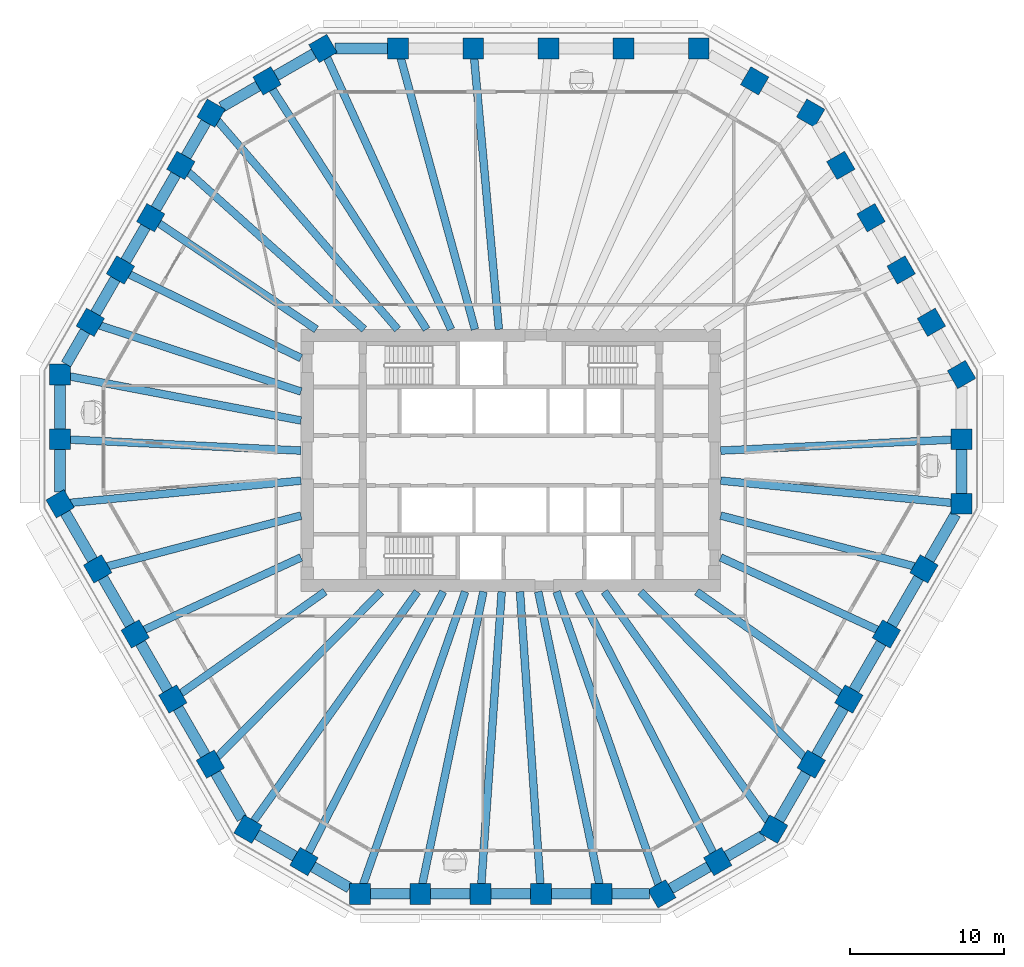
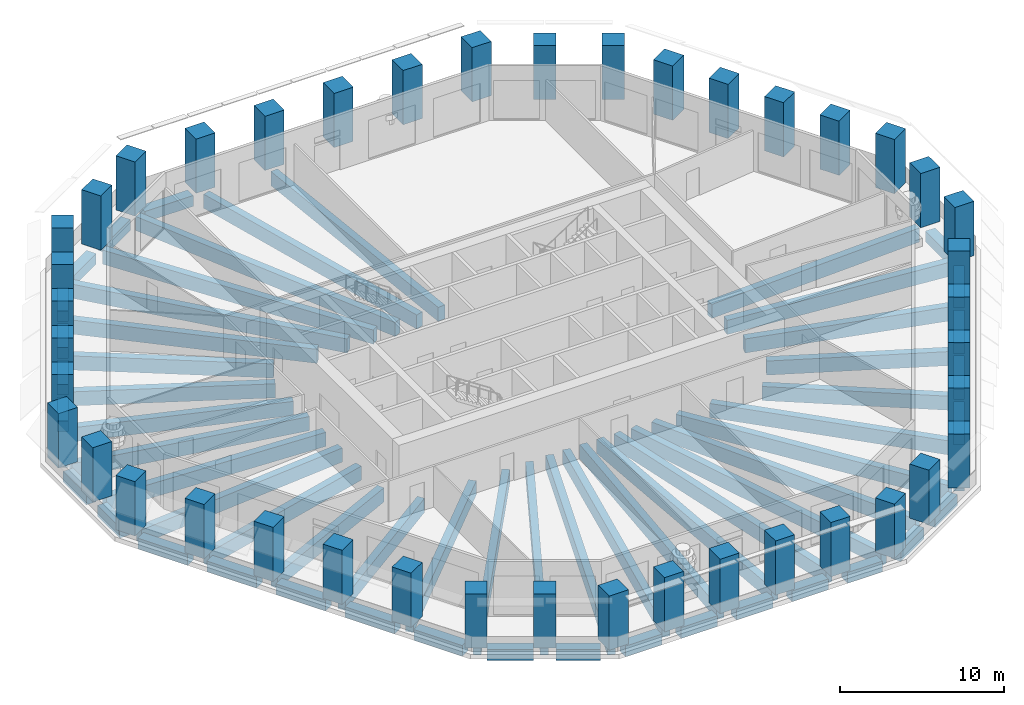
# One storey, part 1 of 12: 62 beams, 42 columns.
"""IFC4 building model written with IfcOpenShell, lengths in metres."""

from ifc_helpers import new_model, si_unit, direction, frame, origin, origin_2d, place, context, subcontext, project, spatial, rectangle, extrude, material, material_profile, profile_set, type_object, element, save


model = new_model("IFC4")

# Units and contexts
model_context = context("Model", 3, precision=1e-05, world=origin(), true_north=direction((0.0, 1.0)))
body_context = subcontext(model_context, "Body", "Model", "MODEL_VIEW")
ifc_project = project(units=[si_unit("LENGTHUNIT", "METRE"), si_unit("AREAUNIT", "SQUARE_METRE"), si_unit("VOLUMEUNIT", "CUBIC_METRE"), si_unit("PLANEANGLEUNIT", "RADIAN"), si_unit("MASSUNIT", "GRAM", prefix="KILO")], contexts=[model_context])

# Site, building, storey
site_placement = place(None, origin())
site = spatial("IfcSite", under=ifc_project, at=site_placement, CompositionType="ELEMENT")
building_placement = place(site_placement, origin())
building = spatial("IfcBuilding", under=site, at=building_placement, Name="Frailejon Research Tower", CompositionType="ELEMENT")
storey_placement = place(building_placement, frame((0.0, 0.0, 126.39990234375)))
storey = spatial("IfcBuildingStorey", under=building, at=storey_placement, Name="L27", CompositionType="ELEMENT", Elevation=126.39990234375)

# Columns
ifc_material_1 = material(Name="Concrete C70/85", Category="concrete")
ifc_material_profile_1 = material_profile(ifc_material_1, rectangle(XDim=1.35009765625, YDim=1.35009765625, at=origin_2d()), Name="Column 1350")
ifc_profile_set_1 = profile_set([ifc_material_profile_1], Name="Concrete C70/85")
column_type = type_object("IfcColumnType", Name="Column 1350", PredefinedType="COLUMN", material=ifc_profile_set_1)
for number, where, z_axis, x_axis, name in (
    (1, (29.211181640625, -2.8046875, 0.0), (0.0, 0.0, 1.0), (0.0, 1.0, 0.0), "Column C01"),
    (2, (29.211181640625, 1.3828125, 0.0), (0.0, 0.0, 1.0), (0.0, 1.0, 0.0), "Column C02"),
    (3, (29.211181640625, 5.5703125, 0.0), (0.0, 0.0, 1.0), (-0.5, 0.866025403784, 0.0), "Column C03"),
    (4, (27.2548828125, 8.958740234375, 0.0), (0.0, 0.0, 1.0), (-0.5, 0.866025403784, 0.0), "Column C04"),
    (5, (25.298583984375, 12.34716796875, 0.0), (0.0, 0.0, 1.0), (-0.5, 0.866025403784, 0.0), "Column C05"),
    (6, (23.34228515625, 15.735595703125, 0.0), (0.0, 0.0, 1.0), (-0.5, 0.866025403784, 0.0), "Column C06"),
    (7, (21.385986328125, 19.1240234375, 0.0), (0.0, 0.0, 1.0), (-0.5, 0.866025403784, 0.0), "Column C07"),
    (8, (19.4296875, 22.512451171875, 0.0), (0.0, 0.0, 1.0), (-0.866025403784, 0.5, 0.0), "Column C08"),
    (9, (15.802978515625, 24.606201171875, 0.0), (0.0, 0.0, 1.0), (-0.866025403784, 0.5, 0.0), "Column C09"),
    (10, (12.176513671875, 26.699951171875, 0.0), (0.0, 0.0, 1.0), (-1.0, 0.0, 0.0), "Column C10"),
    (11, (7.305908203125, 26.699951171875, 0.0), (0.0, 0.0, 1.0), (-1.0, 0.0, 0.0), "Column C11"),
    (12, (2.435302734375, 26.699951171875, 0.0), (0.0, 0.0, 1.0), (-1.0, 0.0, 0.0), "Column C12"),
    (13, (-2.435302734375, 26.699951171875, 0.0), (0.0, 0.0, 1.0), (-1.0, 0.0, 0.0), "Column C13"),
    (14, (-7.305908203125, 26.699951171875, 0.0), (0.0, 0.0, 1.0), (-1.0, 0.0, 0.0), "Column C14"),
    (15, (-12.176513671875, 26.699951171875, 0.0), (0.0, 0.0, 1.0), (-0.866025403784, -0.5, 0.0), "Column C15"),
    (16, (-15.802978515625, 24.606201171875, 0.0), (0.0, 0.0, 1.0), (-0.866025403784, -0.5, 0.0), "Column C16"),
    (17, (-19.4296875, 22.512451171875, 0.0), (0.0, 0.0, 1.0), (-0.5, -0.866025403784, 0.0), "Column C17"),
    (18, (-21.385986328125, 19.1240234375, 0.0), (0.0, 0.0, 1.0), (-0.5, -0.866025403784, 0.0), "Column C18"),
    (19, (-23.34228515625, 15.735595703125, 0.0), (0.0, 0.0, 1.0), (-0.5, -0.866025403784, 0.0), "Column C19"),
    (20, (-25.298583984375, 12.34716796875, 0.0), (0.0, 0.0, 1.0), (-0.5, -0.866025403784, 0.0), "Column C20"),
    (21, (-27.2548828125, 8.958740234375, 0.0), (0.0, 0.0, 1.0), (-0.5, -0.866025403784, 0.0), "Column C21"),
    (22, (-29.211181640625, 5.5703125, 0.0), (0.0, 0.0, 1.0), (0.0, -1.0, 0.0), "Column C22"),
    (23, (-29.211181640625, 1.3828125, 0.0), (0.0, 0.0, 1.0), (0.0, -1.0, 0.0), "Column C23"),
    (24, (-29.211181640625, -2.8046875, 0.0), (0.0, 0.0, 1.0), (0.5, -0.866025403784, 0.0), "Column C24"),
    (25, (-26.77587890625, -7.02294921875, 0.0), (0.0, 0.0, 1.0), (0.5, -0.866025403784, 0.0), "Column C25"),
    (26, (-24.340576171875, -11.240966796875, 0.0), (0.0, 0.0, 1.0), (0.5, -0.866025403784, 0.0), "Column C26"),
    (27, (-21.9052734375, -15.458984375, 0.0), (0.0, 0.0, 1.0), (0.5, -0.866025403784, 0.0), "Column C27"),
    (28, (-19.469970703125, -19.677001953125, 0.0), (0.0, 0.0, 1.0), (0.5, -0.866025403784, 0.0), "Column C28"),
    (29, (-17.03466796875, -23.895263671875, 0.0), (0.0, 0.0, 1.0), (0.866025403784, -0.5, 0.0), "Column C29"),
    (30, (-13.408203125, -25.989013671875, 0.0), (0.0, 0.0, 1.0), (0.866025403784, -0.5, 0.0), "Column C30"),
    (31, (-9.781494140625, -28.082763671875, 0.0), (0.0, 0.0, 1.0), (1.0, 0.0, 0.0), "Column C31"),
    (32, (-5.868896484375, -28.082763671875, 0.0), (0.0, 0.0, 1.0), (1.0, 0.0, 0.0), "Column C32"),
    (33, (-1.956298828125, -28.082763671875, 0.0), (0.0, 0.0, 1.0), (1.0, 0.0, 0.0), "Column C33"),
    (34, (1.956298828125, -28.082763671875, 0.0), (0.0, 0.0, 1.0), (1.0, 0.0, 0.0), "Column C34"),
    (35, (5.868896484375, -28.082763671875, 0.0), (0.0, 0.0, 1.0), (1.0, 0.0, 0.0), "Column C35"),
    (36, (9.781494140625, -28.082763671875, 0.0), (0.0, 0.0, 1.0), (0.866025403784, 0.5, 0.0), "Column C36"),
    (37, (13.408203125, -25.989013671875, 0.0), (0.0, 0.0, 1.0), (0.866025403784, 0.5, 0.0), "Column C37"),
    (38, (17.03466796875, -23.895263671875, 0.0), (0.0, 0.0, 1.0), (0.5, 0.866025403784, 0.0), "Column C38"),
    (39, (19.469970703125, -19.677001953125, 0.0), (0.0, 0.0, 1.0), (0.5, 0.866025403784, 0.0), "Column C39"),
    (40, (21.9052734375, -15.458984375, 0.0), (0.0, 0.0, 1.0), (0.5, 0.866025403784, 0.0), "Column C40"),
    (41, (24.340576171875, -11.240966796875, 0.0), (0.0, 0.0, 1.0), (0.5, 0.866025403784, 0.0), "Column C41"),
    (42, (26.77587890625, -7.02294921875, 0.0), (0.0, 0.0, 1.0), (0.5, 0.866025403784, 0.0), "Column C42"),
):
    element("IfcColumn", number, at=place(storey_placement, frame(where, z_axis=z_axis, x_axis=x_axis)), inside=storey, type_object=column_type, Name=name, PredefinedType="COLUMN", context=body_context, shape_type="SweptSolid", body=[
        extrude(rectangle(XDim=1.35009765625, YDim=1.35009765625, at=origin_2d()), origin(), (0.0, 0.0, 1.0), 4.050048828125),
    ])

# Beams
ifc_material_2 = material(Name="Concrete C60/75", Category="concrete")
ifc_material_profile_2 = material_profile(ifc_material_2, rectangle(XDim=0.5, YDim=1.050048828125, at=origin_2d()), Name="Girder 500x1050")
ifc_profile_set_2 = profile_set([ifc_material_profile_2], Name="Concrete C60/75")
beam_type_1 = type_object("IfcBeamType", Name="Girder 500x1050", PredefinedType="BEAM", material=ifc_profile_set_2)
beam_1_placement = place(storey_placement, frame((28.685302734375, -2.75439453125, -0.824951171875), z_axis=(-0.995421682896, 0.095580715736, 0.0), x_axis=(-0.095580715736, -0.995421682896, 0.0)))
element("IfcBeam", 43, at=beam_1_placement, inside=storey, type_object=beam_type_1, Name="Girder 500x1050", PredefinedType="BEAM", context=body_context, shape_type="SweptSolid", body=[
    extrude(rectangle(XDim=0.5, YDim=1.050048828125, at=origin_2d()), origin(), (0.0, 0.0, 1.0), 15.154541015625),
])
beam_2_placement = place(storey_placement, frame((28.685791015625, 1.35791015625, -0.824951171875), z_axis=(-0.998881484069, -0.047284043646, 0.0), x_axis=(0.047284043646, -0.998881484069, 0.0)))
element("IfcBeam", 44, at=beam_2_placement, inside=storey, type_object=beam_type_1, Name="Girder 500x1050", PredefinedType="BEAM", context=body_context, shape_type="SweptSolid", body=[
    extrude(rectangle(XDim=0.5, YDim=1.050048828125, at=origin_2d()), origin(), (0.0, 0.0, 1.0), 15.1025390625),
])
beam_3_placement = place(storey_placement, frame((-2.387451171875, 26.17431640625, -0.824951171875), z_axis=(0.090832176828, -0.995866213732, 0.0), x_axis=(0.995866213732, 0.090832176828, 0.0)))
element("IfcBeam", 45, at=beam_3_placement, inside=storey, type_object=beam_type_1, Name="Girder 500x1050", PredefinedType="BEAM", context=body_context, shape_type="SweptSolid", body=[
    extrude(rectangle(XDim=0.5, YDim=1.050048828125, at=origin_2d()), origin(), (0.0, 0.0, 1.0), 17.747802734375),
])
beam_4_placement = place(storey_placement, frame((-7.160888671875, 26.169677734375, -0.824951171875), z_axis=(0.263940506276, -0.964538961964, 0.0), x_axis=(0.964538961964, 0.263940506276, 0.0)))
element("IfcBeam", 46, at=beam_4_placement, inside=storey, type_object=beam_type_1, Name="Girder 500x1050", PredefinedType="BEAM", context=body_context, shape_type="SweptSolid", body=[
    extrude(rectangle(XDim=0.5, YDim=1.050048828125, at=origin_2d()), origin(), (0.0, 0.0, 1.0), 18.3193359375),
])
beam_5_placement = place(storey_placement, frame((-11.95751953125, 26.219482421875, -0.824951171875), z_axis=(0.414940732798, -0.90984844247, 0.0), x_axis=(0.90984844247, 0.414940732798, 0.0)))
element("IfcBeam", 47, at=beam_5_placement, inside=storey, type_object=beam_type_1, Name="Girder 500x1050", PredefinedType="BEAM", context=body_context, shape_type="SweptSolid", body=[
    extrude(rectangle(XDim=0.5, YDim=1.050048828125, at=origin_2d()), origin(), (0.0, 0.0, 1.0), 19.47509765625),
])
beam_6_placement = place(storey_placement, frame((-15.51904296875, 24.163818359375, -0.824951171875), z_axis=(0.540394975615, -0.84141147504, 0.0), x_axis=(0.84141147504, 0.540394975615, 0.0)))
element("IfcBeam", 48, at=beam_6_placement, inside=storey, type_object=beam_type_1, Name="Girder 500x1050", PredefinedType="BEAM", context=body_context, shape_type="SweptSolid", body=[
    extrude(rectangle(XDim=0.5, YDim=1.050048828125, at=origin_2d()), origin(), (0.0, 0.0, 1.0), 18.6162109375),
])
beam_7_placement = place(storey_placement, frame((-19.060546875, 22.084716796875, -0.824951171875), z_axis=(0.653375780133, -0.757033744252, 0.0), x_axis=(0.757033744252, 0.653375780133, 0.0)))
element("IfcBeam", 49, at=beam_7_placement, inside=storey, type_object=beam_type_1, Name="Girder 500x1050", PredefinedType="BEAM", context=body_context, shape_type="SweptSolid", body=[
    extrude(rectangle(XDim=0.5, YDim=1.050048828125, at=origin_2d()), origin(), (0.0, 0.0, 1.0), 17.944580078125),
])
beam_8_placement = place(storey_placement, frame((-20.983642578125, 18.764404296875, -0.824951171875), z_axis=(0.745422911023, -0.666591841926, 0.0), x_axis=(0.666591841926, 0.745422911023, 0.0)))
element("IfcBeam", 50, at=beam_8_placement, inside=storey, type_object=beam_type_1, Name="Girder 500x1050", PredefinedType="BEAM", context=body_context, shape_type="SweptSolid", body=[
    extrude(rectangle(XDim=0.5, YDim=1.050048828125, at=origin_2d()), origin(), (0.0, 0.0, 1.0), 15.3984375),
])
beam_9_placement = place(storey_placement, frame((-22.905517578125, 15.441162109375, -0.824951171875), z_axis=(0.829186990789, -0.558971317964, 0.0), x_axis=(0.558971317964, 0.829186990789, 0.0)))
element("IfcBeam", 51, at=beam_9_placement, inside=storey, type_object=beam_type_1, Name="Girder 500x1050", PredefinedType="BEAM", context=body_context, shape_type="SweptSolid", body=[
    extrude(rectangle(XDim=0.5, YDim=1.050048828125, at=origin_2d()), origin(), (0.0, 0.0, 1.0), 12.417724609375),
])
beam_10_placement = place(storey_placement, frame((-24.8251953125, 12.1162109375, -0.824951171875), z_axis=(0.898678258454, -0.438608467522, 0.0), x_axis=(0.438608467522, 0.898678258454, 0.0)))
element("IfcBeam", 52, at=beam_10_placement, inside=storey, type_object=beam_type_1, Name="Girder 500x1050", PredefinedType="BEAM", context=body_context, shape_type="SweptSolid", body=[
    extrude(rectangle(XDim=0.5, YDim=1.050048828125, at=origin_2d()), origin(), (0.0, 0.0, 1.0), 12.49072265625),
])
beam_11_placement = place(storey_placement, frame((-26.7421875, 8.790283203125, -0.824951171875), z_axis=(0.949989871685, -0.312280712975, 0.0), x_axis=(0.312280712975, 0.949989871685, 0.0)))
element("IfcBeam", 53, at=beam_11_placement, inside=storey, type_object=beam_type_1, Name="Girder 500x1050", PredefinedType="BEAM", context=body_context, shape_type="SweptSolid", body=[
    extrude(rectangle(XDim=0.5, YDim=1.050048828125, at=origin_2d()), origin(), (0.0, 0.0, 1.0), 13.833984375),
])
beam_12_placement = place(storey_placement, frame((-28.683349609375, 5.4697265625, -0.824951171875), z_axis=(0.982299996606, -0.187314486007, 0.0), x_axis=(0.187314486007, 0.982299996606, 0.0)))
element("IfcBeam", 54, at=beam_12_placement, inside=storey, type_object=beam_type_1, Name="Girder 500x1050", PredefinedType="BEAM", context=body_context, shape_type="SweptSolid", body=[
    extrude(rectangle(XDim=0.5, YDim=1.050048828125, at=origin_2d()), origin(), (0.0, 0.0, 1.0), 15.35498046875),
])
beam_13_placement = place(storey_placement, frame((-28.685791015625, 1.35791015625, -0.824951171875), z_axis=(0.998881484069, -0.047284043646, 0.0), x_axis=(0.047284043646, 0.998881484069, 0.0)))
element("IfcBeam", 55, at=beam_13_placement, inside=storey, type_object=beam_type_1, Name="Girder 500x1050", PredefinedType="BEAM", context=body_context, shape_type="SweptSolid", body=[
    extrude(rectangle(XDim=0.5, YDim=1.050048828125, at=origin_2d()), origin(), (0.0, 0.0, 1.0), 15.1025390625),
])
beam_14_placement = place(storey_placement, frame((-28.621826171875, -2.748291015625, -0.824951171875), z_axis=(0.99542173633, 0.095580159246, 0.0), x_axis=(-0.095580159246, 0.99542173633, 0.0)))
element("IfcBeam", 56, at=beam_14_placement, inside=storey, type_object=beam_type_1, Name="Girder 500x1050", PredefinedType="BEAM", context=body_context, shape_type="SweptSolid", body=[
    extrude(rectangle(XDim=0.5, YDim=1.050048828125, at=origin_2d()), origin(), (0.0, 0.0, 1.0), 15.0908203125),
])
beam_15_placement = place(storey_placement, frame((-26.243896484375, -6.88330078125, -0.824951171875), z_axis=(0.967284207877, 0.253695213184, 0.0), x_axis=(-0.253695213184, 0.967284207877, 0.0)))
element("IfcBeam", 57, at=beam_15_placement, inside=storey, type_object=beam_type_1, Name="Girder 500x1050", PredefinedType="BEAM", context=body_context, shape_type="SweptSolid", body=[
    extrude(rectangle(XDim=0.5, YDim=1.050048828125, at=origin_2d()), origin(), (0.0, 0.0, 1.0), 13.071533203125),
])
beam_16_placement = place(storey_placement, frame((-23.861328125, -11.019775390625, -0.824951171875), z_axis=(0.907856308301, 0.419281437079, 0.0), x_axis=(-0.419281437079, 0.907856308301, 0.0)))
element("IfcBeam", 58, at=beam_16_placement, inside=storey, type_object=beam_type_1, Name="Girder 500x1050", PredefinedType="BEAM", context=body_context, shape_type="SweptSolid", body=[
    extrude(rectangle(XDim=0.5, YDim=1.050048828125, at=origin_2d()), origin(), (0.0, 0.0, 1.0), 11.302734375),
])
beam_17_placement = place(storey_placement, frame((-21.47412109375, -15.15478515625, -0.824951171875), z_axis=(0.817027654996, 0.576598483324, 0.0), x_axis=(-0.576598483324, 0.817027654996, 0.0)))
element("IfcBeam", 59, at=beam_17_placement, inside=storey, type_object=beam_type_1, Name="Girder 500x1050", PredefinedType="BEAM", context=body_context, shape_type="SweptSolid", body=[
    extrude(rectangle(XDim=0.5, YDim=1.050048828125, at=origin_2d()), origin(), (0.0, 0.0, 1.0), 11.54150390625),
])
beam_18_placement = place(storey_placement, frame((-19.083251953125, -19.286376953125, -0.824951171875), z_axis=(0.703356143864, 0.710837629061, 0.0), x_axis=(-0.710837629061, 0.703356143864, 0.0)))
element("IfcBeam", 60, at=beam_18_placement, inside=storey, type_object=beam_type_1, Name="Girder 500x1050", PredefinedType="BEAM", context=body_context, shape_type="SweptSolid", body=[
    extrude(rectangle(XDim=0.5, YDim=1.050048828125, at=origin_2d()), origin(), (0.0, 0.0, 1.0), 15.174072265625),
])
beam_19_placement = place(storey_placement, frame((-16.72802734375, -23.465087890625, -0.824951171875), z_axis=(0.580485243586, 0.814270766993, 0.0), x_axis=(-0.814270766993, 0.580485243586, 0.0)))
element("IfcBeam", 61, at=beam_19_placement, inside=storey, type_object=beam_type_1, Name="Girder 500x1050", PredefinedType="BEAM", context=body_context, shape_type="SweptSolid", body=[
    extrude(rectangle(XDim=0.5, YDim=1.050048828125, at=origin_2d()), origin(), (0.0, 0.0, 1.0), 18.37841796875),
])
beam_20_placement = place(storey_placement, frame((-13.1669921875, -25.521728515625, -0.824951171875), z_axis=(0.458491609966, 0.888698736125, 0.0), x_axis=(-0.888698736125, 0.458491609966, 0.0)))
element("IfcBeam", 62, at=beam_20_placement, inside=storey, type_object=beam_type_1, Name="Girder 500x1050", PredefinedType="BEAM", context=body_context, shape_type="SweptSolid", body=[
    extrude(rectangle(XDim=0.5, YDim=1.050048828125, at=origin_2d()), origin(), (0.0, 0.0, 1.0), 19.153564453125),
])
beam_21_placement = place(storey_placement, frame((-9.595703125, -27.549560546875, -0.824951171875), z_axis=(0.328921952058, 0.944357109072, 0.0), x_axis=(-0.944357109072, 0.328921952058, 0.0)))
element("IfcBeam", 63, at=beam_21_placement, inside=storey, type_object=beam_type_1, Name="Girder 500x1050", PredefinedType="BEAM", context=body_context, shape_type="SweptSolid", body=[
    extrude(rectangle(XDim=0.5, YDim=1.050048828125, at=origin_2d()), origin(), (0.0, 0.0, 1.0), 20.171875),
])
beam_22_placement = place(storey_placement, frame((-5.758544921875, -27.5546875, -0.824951171875), z_axis=(0.204567232752, 0.978852515594, 0.0), x_axis=(-0.978852515594, 0.204567232752, 0.0)))
element("IfcBeam", 64, at=beam_22_placement, inside=storey, type_object=beam_type_1, Name="Girder 500x1050", PredefinedType="BEAM", context=body_context, shape_type="SweptSolid", body=[
    extrude(rectangle(XDim=0.5, YDim=1.050048828125, at=origin_2d()), origin(), (0.0, 0.0, 1.0), 19.46630859375),
])
for number, where, z_axis, x_axis, name in (
    (65, (-1.919677734375, -27.557373046875, -0.824951171875), (0.069496814706, 0.99758217343, 0.0), (-0.99758217343, 0.069496814706, 0.0), "Girder 500x1050"),
    (66, (1.919677734375, -27.557373046875, -0.824951171875), (-0.069496814706, 0.99758217343, 0.0), (-0.99758217343, -0.069496814706, 0.0), "Girder 500x1050"),
):
    element("IfcBeam", number, at=place(storey_placement, frame(where, z_axis=z_axis, x_axis=x_axis)), inside=storey, type_object=beam_type_1, Name=name, PredefinedType="BEAM", context=body_context, shape_type="SweptSolid", body=[
        extrude(rectangle(XDim=0.5, YDim=1.050048828125, at=origin_2d()), origin(), (0.0, 0.0, 1.0), 19.103515625),
    ])
beam_23_placement = place(storey_placement, frame((5.758544921875, -27.5546875, -0.824951171875), z_axis=(-0.204567232752, 0.978852515594, 0.0), x_axis=(-0.978852515594, -0.204567232752, 0.0)))
element("IfcBeam", 67, at=beam_23_placement, inside=storey, type_object=beam_type_1, Name="Girder 500x1050", PredefinedType="BEAM", context=body_context, shape_type="SweptSolid", body=[
    extrude(rectangle(XDim=0.5, YDim=1.050048828125, at=origin_2d()), origin(), (0.0, 0.0, 1.0), 19.46630859375),
])
beam_24_placement = place(storey_placement, frame((9.604736328125, -27.575439453125, -0.824951171875), z_axis=(-0.328922813657, 0.944356808974, 0.0), x_axis=(-0.944356808974, -0.328922813657, 0.0)))
element("IfcBeam", 68, at=beam_24_placement, inside=storey, type_object=beam_type_1, Name="Girder 500x1050", PredefinedType="BEAM", context=body_context, shape_type="SweptSolid", body=[
    extrude(rectangle(XDim=0.5, YDim=1.050048828125, at=origin_2d()), origin(), (0.0, 0.0, 1.0), 20.199462890625),
])
beam_25_placement = place(storey_placement, frame((13.1669921875, -25.521728515625, -0.824951171875), z_axis=(-0.458491609966, 0.888698736125, 0.0), x_axis=(-0.888698736125, -0.458491609966, 0.0)))
element("IfcBeam", 69, at=beam_25_placement, inside=storey, type_object=beam_type_1, Name="Girder 500x1050", PredefinedType="BEAM", context=body_context, shape_type="SweptSolid", body=[
    extrude(rectangle(XDim=0.5, YDim=1.050048828125, at=origin_2d()), origin(), (0.0, 0.0, 1.0), 19.153564453125),
])
beam_26_placement = place(storey_placement, frame((16.69091796875, -23.4130859375, -0.824951171875), z_axis=(-0.580483878089, 0.81427174044, 0.0), x_axis=(-0.81427174044, -0.580483878089, 0.0)))
element("IfcBeam", 70, at=beam_26_placement, inside=storey, type_object=beam_type_1, Name="Girder 500x1050", PredefinedType="BEAM", context=body_context, shape_type="SweptSolid", body=[
    extrude(rectangle(XDim=0.5, YDim=1.050048828125, at=origin_2d()), origin(), (0.0, 0.0, 1.0), 18.314697265625),
])
beam_27_placement = place(storey_placement, frame((19.083251953125, -19.286376953125, -0.824951171875), z_axis=(-0.703356143864, 0.710837629061, 0.0), x_axis=(-0.710837629061, -0.703356143864, 0.0)))
element("IfcBeam", 71, at=beam_27_placement, inside=storey, type_object=beam_type_1, Name="Girder 500x1050", PredefinedType="BEAM", context=body_context, shape_type="SweptSolid", body=[
    extrude(rectangle(XDim=0.5, YDim=1.050048828125, at=origin_2d()), origin(), (0.0, 0.0, 1.0), 15.174072265625),
])
beam_28_placement = place(storey_placement, frame((21.47412109375, -15.15478515625, -0.824951171875), z_axis=(-0.817027654996, 0.576598483324, 0.0), x_axis=(-0.576598483324, -0.817027654996, 0.0)))
element("IfcBeam", 72, at=beam_28_placement, inside=storey, type_object=beam_type_1, Name="Girder 500x1050", PredefinedType="BEAM", context=body_context, shape_type="SweptSolid", body=[
    extrude(rectangle(XDim=0.5, YDim=1.050048828125, at=origin_2d()), origin(), (0.0, 0.0, 1.0), 11.54150390625),
])
beam_29_placement = place(storey_placement, frame((23.861328125, -11.019775390625, -0.824951171875), z_axis=(-0.907856308301, 0.419281437079, 0.0), x_axis=(-0.419281437079, -0.907856308301, 0.0)))
element("IfcBeam", 73, at=beam_29_placement, inside=storey, type_object=beam_type_1, Name="Girder 500x1050", PredefinedType="BEAM", context=body_context, shape_type="SweptSolid", body=[
    extrude(rectangle(XDim=0.5, YDim=1.050048828125, at=origin_2d()), origin(), (0.0, 0.0, 1.0), 11.302734375),
])
beam_30_placement = place(storey_placement, frame((26.243896484375, -6.88330078125, -0.824951171875), z_axis=(-0.967284207877, 0.253695213184, 0.0), x_axis=(-0.253695213184, -0.967284207877, 0.0)))
element("IfcBeam", 74, at=beam_30_placement, inside=storey, type_object=beam_type_1, Name="Girder 500x1050", PredefinedType="BEAM", context=body_context, shape_type="SweptSolid", body=[
    extrude(rectangle(XDim=0.5, YDim=1.050048828125, at=origin_2d()), origin(), (0.0, 0.0, 1.0), 13.071533203125),
])
ifc_material_3 = material(Name="Concrete C60/75", Category="concrete")
ifc_material_profile_3 = material_profile(ifc_material_3, rectangle(XDim=0.699951171875, YDim=0.800048828125, at=origin_2d()), Name="Spandrel 700x800")
ifc_profile_set_3 = profile_set([ifc_material_profile_3], Name="Concrete C60/75")
beam_type_2 = type_object("IfcBeamType", Name="Spandrel 700x800", PredefinedType="BEAM", material=ifc_profile_set_3)
beam_31_placement = place(storey_placement, frame((29.211181640625, -2.1298828125, -0.75), z_axis=(0.0, 1.0, 0.0), x_axis=(-1.0, 0.0, 0.0)))
element("IfcBeam", 75, at=beam_31_placement, inside=storey, type_object=beam_type_2, Name="Spandrel 700x800", PredefinedType="BEAM", context=body_context, shape_type="SweptSolid", body=[
    extrude(rectangle(XDim=0.699951171875, YDim=0.800048828125, at=origin_2d()), origin(), (0.0, 0.0, 1.0), 2.837646484375),
])
beam_32_placement = place(storey_placement, frame((-7.98095703125, 26.699951171875, -0.75), z_axis=(-1.0, 0.0, 0.0), x_axis=(0.0, -1.0, 0.0)))
element("IfcBeam", 76, at=beam_32_placement, inside=storey, type_object=beam_type_2, Name="Spandrel 700x800", PredefinedType="BEAM", context=body_context, shape_type="SweptSolid", body=[
    extrude(rectangle(XDim=0.699951171875, YDim=0.800048828125, at=origin_2d()), origin(), (0.0, 0.0, 1.0), 3.416259765625),
])
beam_33_placement = place(storey_placement, frame((-12.760986328125, 26.362548828125, -0.75), z_axis=(-0.866010792954, -0.500025305846, 0.0), x_axis=(0.500025305846, -0.866010792954, 0.0)))
element("IfcBeam", 77, at=beam_33_placement, inside=storey, type_object=beam_type_2, Name="Spandrel 700x800", PredefinedType="BEAM", context=body_context, shape_type="SweptSolid", body=[
    extrude(rectangle(XDim=0.699951171875, YDim=0.800048828125, at=origin_2d()), origin(), (0.0, 0.0, 1.0), 2.837646484375),
])
beam_34_placement = place(storey_placement, frame((-16.3876953125, 24.268798828125, -0.75), z_axis=(-0.866002615699, -0.500039468044, 0.0), x_axis=(0.500039468044, -0.866002615699, 0.0)))
element("IfcBeam", 78, at=beam_34_placement, inside=storey, type_object=beam_type_2, Name="Spandrel 700x800", PredefinedType="BEAM", context=body_context, shape_type="SweptSolid", body=[
    extrude(rectangle(XDim=0.699951171875, YDim=0.800048828125, at=origin_2d()), origin(), (0.0, 0.0, 1.0), 2.733154296875),
])
beam_35_placement = place(storey_placement, frame((-19.76708984375, 21.927734375, -0.75), z_axis=(-0.499991857942, -0.866030104553, 0.0), x_axis=(0.866030104553, -0.499991857942, 0.0)))
element("IfcBeam", 79, at=beam_35_placement, inside=storey, type_object=beam_type_2, Name="Spandrel 700x800", PredefinedType="BEAM", context=body_context, shape_type="SweptSolid", body=[
    extrude(rectangle(XDim=0.699951171875, YDim=0.800048828125, at=origin_2d()), origin(), (0.0, 0.0, 1.0), 2.5625),
])
for number, where, z_axis, x_axis, name in (
    (80, (-21.723388671875, 18.539306640625, -0.75), (-0.50003311468, -0.866006284171, 0.0), (0.866006284171, -0.50003311468, 0.0), "Spandrel 700x800"),
    (81, (-23.6796875, 15.15087890625, -0.75), (-0.50003311468, -0.866006284171, 0.0), (0.866006284171, -0.50003311468, 0.0), "Spandrel 700x800"),
):
    element("IfcBeam", number, at=place(storey_placement, frame(where, z_axis=z_axis, x_axis=x_axis)), inside=storey, type_object=beam_type_2, Name=name, PredefinedType="BEAM", context=body_context, shape_type="SweptSolid", body=[
        extrude(rectangle(XDim=0.699951171875, YDim=0.800048828125, at=origin_2d()), origin(), (0.0, 0.0, 1.0), 2.562255859375),
    ])
beam_36_placement = place(storey_placement, frame((-25.635986328125, 11.7626953125, -0.75), z_axis=(-0.499950606877, -0.866053919039, 0.0), x_axis=(0.866053919039, -0.499950606877, 0.0)))
element("IfcBeam", 82, at=beam_36_placement, inside=storey, type_object=beam_type_2, Name="Spandrel 700x800", PredefinedType="BEAM", context=body_context, shape_type="SweptSolid", body=[
    extrude(rectangle(XDim=0.699951171875, YDim=0.800048828125, at=origin_2d()), origin(), (0.0, 0.0, 1.0), 2.562744140625),
])
beam_37_placement = place(storey_placement, frame((-27.59228515625, 8.3740234375, -0.75), z_axis=(-0.500006183238, -0.866021833861, 0.0), x_axis=(0.866021833861, -0.500006183238, 0.0)))
element("IfcBeam", 83, at=beam_37_placement, inside=storey, type_object=beam_type_2, Name="Spandrel 700x800", PredefinedType="BEAM", context=body_context, shape_type="SweptSolid", body=[
    extrude(rectangle(XDim=0.699951171875, YDim=0.800048828125, at=origin_2d()), origin(), (0.0, 0.0, 1.0), 2.4580078125),
])
beam_38_placement = place(storey_placement, frame((-29.211181640625, 4.895263671875, -0.75), z_axis=(0.0, -1.0, 0.0), x_axis=(1.0, 0.0, 0.0)))
element("IfcBeam", 84, at=beam_38_placement, inside=storey, type_object=beam_type_2, Name="Spandrel 700x800", PredefinedType="BEAM", context=body_context, shape_type="SweptSolid", body=[
    extrude(rectangle(XDim=0.699951171875, YDim=0.800048828125, at=origin_2d()), origin(), (0.0, 0.0, 1.0), 2.83740234375),
])
beam_39_placement = place(storey_placement, frame((-29.211181640625, 0.707763671875, -0.75), z_axis=(0.0, -1.0, 0.0), x_axis=(1.0, 0.0, 0.0)))
element("IfcBeam", 85, at=beam_39_placement, inside=storey, type_object=beam_type_2, Name="Spandrel 700x800", PredefinedType="BEAM", context=body_context, shape_type="SweptSolid", body=[
    extrude(rectangle(XDim=0.699951171875, YDim=0.800048828125, at=origin_2d()), origin(), (0.0, 0.0, 1.0), 2.733154296875),
])
beam_40_placement = place(storey_placement, frame((-28.87353515625, -3.389404296875, -0.75), z_axis=(0.500002592159, -0.866023907196, 0.0), x_axis=(0.866023907196, 0.500002592159, 0.0)))
element("IfcBeam", 86, at=beam_40_placement, inside=storey, type_object=beam_type_2, Name="Spandrel 700x800", PredefinedType="BEAM", context=body_context, shape_type="SweptSolid", body=[
    extrude(rectangle(XDim=0.699951171875, YDim=0.800048828125, at=origin_2d()), origin(), (0.0, 0.0, 1.0), 3.5205078125),
])
beam_41_placement = place(storey_placement, frame((-26.438232421875, -7.607421875, -0.75), z_axis=(0.499972564782, -0.866041242935, 0.0), x_axis=(0.866041242935, 0.499972564782, 0.0)))
element("IfcBeam", 87, at=beam_41_placement, inside=storey, type_object=beam_type_2, Name="Spandrel 700x800", PredefinedType="BEAM", context=body_context, shape_type="SweptSolid", body=[
    extrude(rectangle(XDim=0.699951171875, YDim=0.800048828125, at=origin_2d()), origin(), (0.0, 0.0, 1.0), 3.520751953125),
])
for number, where, z_axis, x_axis, name in (
    (88, (-24.0029296875, -11.82568359375, -0.75), (0.500002592159, -0.866023907196, 0.0), (0.866023907196, 0.500002592159, 0.0), "Spandrel 700x800"),
    (89, (-21.567626953125, -16.043701171875, -0.75), (0.500002592159, -0.866023907196, 0.0), (0.866023907196, 0.500002592159, 0.0), "Spandrel 700x800"),
):
    element("IfcBeam", number, at=place(storey_placement, frame(where, z_axis=z_axis, x_axis=x_axis)), inside=storey, type_object=beam_type_2, Name=name, PredefinedType="BEAM", context=body_context, shape_type="SweptSolid", body=[
        extrude(rectangle(XDim=0.699951171875, YDim=0.800048828125, at=origin_2d()), origin(), (0.0, 0.0, 1.0), 3.5205078125),
    ])
beam_42_placement = place(storey_placement, frame((-19.13232421875, -20.26171875, -0.75), z_axis=(0.499982281718, -0.866035633198, 0.0), x_axis=(0.866035633198, 0.499982281718, 0.0)))
element("IfcBeam", 90, at=beam_42_placement, inside=storey, type_object=beam_type_2, Name="Spandrel 700x800", PredefinedType="BEAM", context=body_context, shape_type="SweptSolid", body=[
    extrude(rectangle(XDim=0.699951171875, YDim=0.800048828125, at=origin_2d()), origin(), (0.0, 0.0, 1.0), 3.416015625),
])
beam_43_placement = place(storey_placement, frame((-16.449951171875, -24.232666015625, -0.75), z_axis=(0.865989280058, -0.500062562911, 0.0), x_axis=(0.500062562911, 0.865989280058, 0.0)))
element("IfcBeam", 91, at=beam_43_placement, inside=storey, type_object=beam_type_2, Name="Spandrel 700x800", PredefinedType="BEAM", context=body_context, shape_type="SweptSolid", body=[
    extrude(rectangle(XDim=0.699951171875, YDim=0.800048828125, at=origin_2d()), origin(), (0.0, 0.0, 1.0), 2.837646484375),
])
beam_44_placement = place(storey_placement, frame((-12.823486328125, -26.326416015625, -0.75), z_axis=(0.866002615699, -0.500039468044, 0.0), x_axis=(0.500039468044, 0.866002615699, 0.0)))
element("IfcBeam", 92, at=beam_44_placement, inside=storey, type_object=beam_type_2, Name="Spandrel 700x800", PredefinedType="BEAM", context=body_context, shape_type="SweptSolid", body=[
    extrude(rectangle(XDim=0.699951171875, YDim=0.800048828125, at=origin_2d()), origin(), (0.0, 0.0, 1.0), 2.733154296875),
])
for number, where, z_axis, x_axis, name in (
    (93, (-9.1064453125, -28.082763671875, -0.75), (1.0, 0.0, 0.0), (0.0, 1.0, 0.0), "Spandrel 700x800"),
    (94, (-5.19384765625, -28.082763671875, -0.75), (1.0, 0.0, 0.0), (0.0, 1.0, 0.0), "Spandrel 700x800"),
    (95, (-1.28125, -28.082763671875, -0.75), (1.0, 0.0, 0.0), (0.0, 1.0, 0.0), "Spandrel 700x800"),
    (96, (2.63134765625, -28.082763671875, -0.75), (1.0, 0.0, 0.0), (0.0, 1.0, 0.0), "Spandrel 700x800"),
):
    element("IfcBeam", number, at=place(storey_placement, frame(where, z_axis=z_axis, x_axis=x_axis)), inside=storey, type_object=beam_type_2, Name=name, PredefinedType="BEAM", context=body_context, shape_type="SweptSolid", body=[
        extrude(rectangle(XDim=0.699951171875, YDim=0.800048828125, at=origin_2d()), origin(), (0.0, 0.0, 1.0), 2.5625),
    ])
beam_45_placement = place(storey_placement, frame((6.5439453125, -28.082763671875, -0.75), z_axis=(1.0, 0.0, 0.0), x_axis=(0.0, 1.0, 0.0)))
element("IfcBeam", 97, at=beam_45_placement, inside=storey, type_object=beam_type_2, Name="Spandrel 700x800", PredefinedType="BEAM", context=body_context, shape_type="SweptSolid", body=[
    extrude(rectangle(XDim=0.699951171875, YDim=0.800048828125, at=origin_2d()), origin(), (0.0, 0.0, 1.0), 2.458251953125),
])
beam_46_placement = place(storey_placement, frame((10.3662109375, -27.745361328125, -0.75), z_axis=(0.865989280058, 0.500062562911, 0.0), x_axis=(-0.500062562911, 0.865989280058, 0.0)))
element("IfcBeam", 98, at=beam_46_placement, inside=storey, type_object=beam_type_2, Name="Spandrel 700x800", PredefinedType="BEAM", context=body_context, shape_type="SweptSolid", body=[
    extrude(rectangle(XDim=0.699951171875, YDim=0.800048828125, at=origin_2d()), origin(), (0.0, 0.0, 1.0), 2.837646484375),
])
beam_47_placement = place(storey_placement, frame((13.99267578125, -25.651611328125, -0.75), z_axis=(0.866002615699, 0.500039468044, 0.0), x_axis=(-0.500039468044, 0.866002615699, 0.0)))
element("IfcBeam", 99, at=beam_47_placement, inside=storey, type_object=beam_type_2, Name="Spandrel 700x800", PredefinedType="BEAM", context=body_context, shape_type="SweptSolid", body=[
    extrude(rectangle(XDim=0.699951171875, YDim=0.800048828125, at=origin_2d()), origin(), (0.0, 0.0, 1.0), 2.733154296875),
])
for number, where, z_axis, x_axis, name in (
    (100, (17.3720703125, -23.310546875, -0.75), (0.500002592159, 0.866023907196, 0.0), (-0.866023907196, 0.500002592159, 0.0), "Spandrel 700x800"),
    (101, (19.807373046875, -19.092529296875, -0.75), (0.500002592159, 0.866023907196, 0.0), (-0.866023907196, 0.500002592159, 0.0), "Spandrel 700x800"),
    (102, (22.24267578125, -14.87451171875, -0.75), (0.500002592159, 0.866023907196, 0.0), (-0.866023907196, 0.500002592159, 0.0), "Spandrel 700x800"),
):
    element("IfcBeam", number, at=place(storey_placement, frame(where, z_axis=z_axis, x_axis=x_axis)), inside=storey, type_object=beam_type_2, Name=name, PredefinedType="BEAM", context=body_context, shape_type="SweptSolid", body=[
        extrude(rectangle(XDim=0.699951171875, YDim=0.800048828125, at=origin_2d()), origin(), (0.0, 0.0, 1.0), 3.5205078125),
    ])
beam_48_placement = place(storey_placement, frame((24.677978515625, -10.656494140625, -0.75), z_axis=(0.499972564782, 0.866041242935, 0.0), x_axis=(-0.866041242935, 0.499972564782, 0.0)))
element("IfcBeam", 103, at=beam_48_placement, inside=storey, type_object=beam_type_2, Name="Spandrel 700x800", PredefinedType="BEAM", context=body_context, shape_type="SweptSolid", body=[
    extrude(rectangle(XDim=0.699951171875, YDim=0.800048828125, at=origin_2d()), origin(), (0.0, 0.0, 1.0), 3.520751953125),
])
beam_49_placement = place(storey_placement, frame((27.11328125, -6.438232421875, -0.75), z_axis=(0.499982281718, 0.866035633198, 0.0), x_axis=(-0.866035633198, 0.499982281718, 0.0)))
element("IfcBeam", 104, at=beam_49_placement, inside=storey, type_object=beam_type_2, Name="Spandrel 700x800", PredefinedType="BEAM", context=body_context, shape_type="SweptSolid", body=[
    extrude(rectangle(XDim=0.699951171875, YDim=0.800048828125, at=origin_2d()), origin(), (0.0, 0.0, 1.0), 3.416015625),
])

save(model, "model.ifc")
